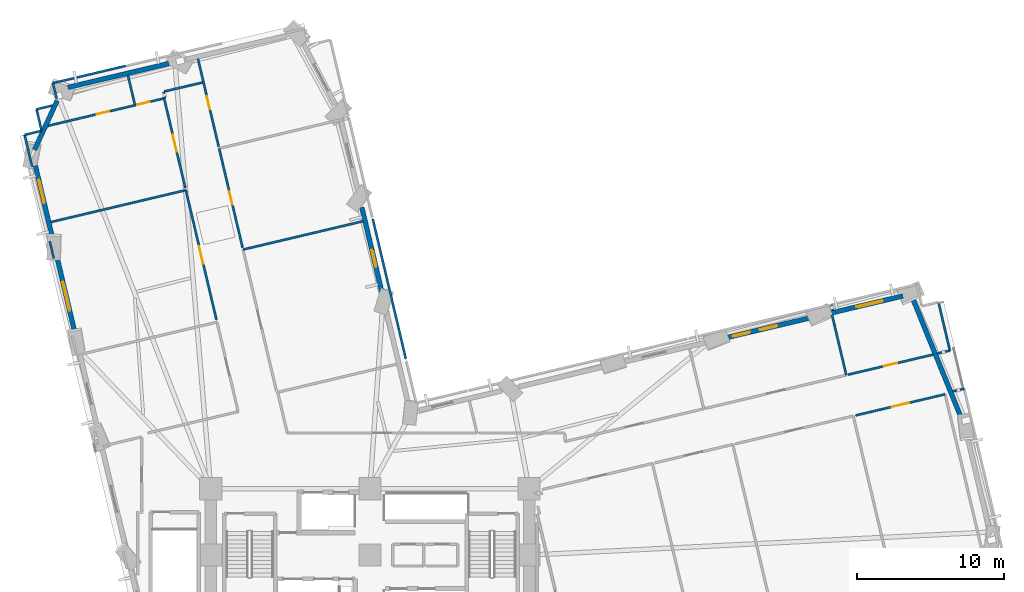
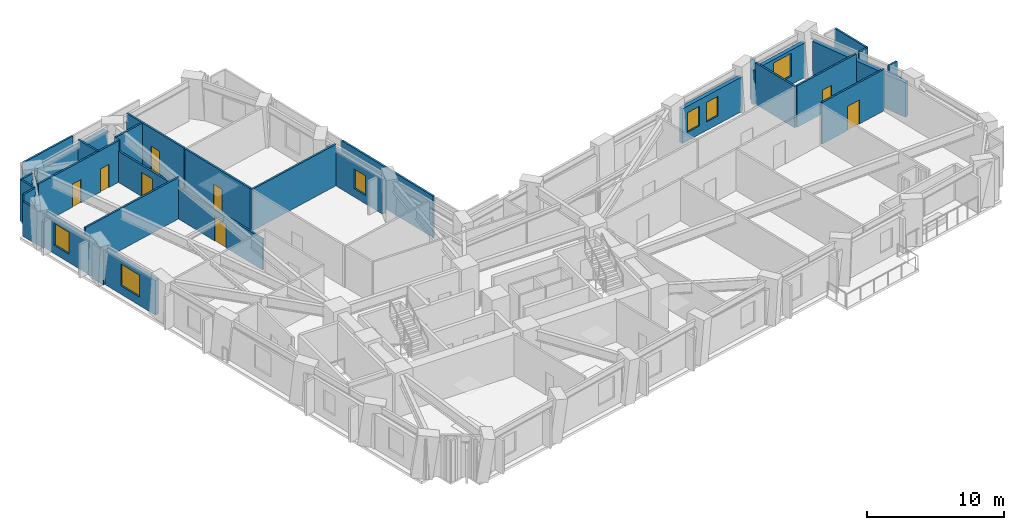
# One storey, part 9 of 14: 33 walls, 8 doors, 6 windows, 14 openings.
"""IFC4 building model written with IfcOpenShell, lengths in metres."""

from ifc_helpers import new_model, si_unit, direction, frame, frame_2d, origin, place, context, subcontext, project, spatial, rectangle, extrude, material, layer, layer_set, type_object, element, fill, save


model = new_model("IFC4")

# Units and contexts
model_context = context("Model", 3, precision=1e-05, world=origin(), true_north=direction((0.0, 1.0)))
body_context = subcontext(model_context, "Body", "Model", "MODEL_VIEW")
ifc_project = project(units=[si_unit("LENGTHUNIT", "METRE"), si_unit("AREAUNIT", "SQUARE_METRE"), si_unit("VOLUMEUNIT", "CUBIC_METRE"), si_unit("PLANEANGLEUNIT", "RADIAN"), si_unit("MASSUNIT", "GRAM", prefix="KILO")], contexts=[model_context])

# Site, building, storey
site_placement = place(None, origin())
site = spatial("IfcSite", under=ifc_project, at=site_placement, CompositionType="ELEMENT")
building_placement = place(site_placement, origin())
building = spatial("IfcBuilding", under=site, at=building_placement, Name="Gaonmaruhae Medical Tower", CompositionType="ELEMENT")
storey_placement = place(building_placement, frame((0.0, 0.0, 79.0)))
storey = spatial("IfcBuildingStorey", under=building, at=storey_placement, Name="L18", CompositionType="ELEMENT", Elevation=79.0)

# Wall
ifc_material_1 = material(Name="Precast concrete C45/55", Category="concrete")
ifc_layer_1 = layer(ifc_material_1, 0.320068359375)
ifc_layer_set_1 = layer_set([ifc_layer_1], Name="Precast concrete C45/55")
wall_type_1 = type_object("IfcWallType", Name="EW-320 Lower Precast Masonry-Frame Facade Wall", PredefinedType="SOLIDWALL", material=ifc_layer_set_1)
wall_1_placement = place(storey_placement, frame((61.641357421875, 29.660400390625, 0.0), z_axis=(0.0, 0.0, 1.0), x_axis=(0.376057718022, -0.926596240396, 0.0)))
element("IfcWall", 1, at=wall_1_placement, inside=storey, type_object=wall_type_1, Name="L18 Precast Masonry-Frame Wall E02-E03", PredefinedType="SOLIDWALL", context=body_context, shape_type="SweptSolid", body=[
    extrude(rectangle(XDim=8.61376953125, YDim=0.320068359375, at=frame_2d((4.306884765625, 0.0))), origin(), (0.0, 0.0, 1.0), 3.0849609375),
])

# Wall, opening, window
wall_2_placement = place(storey_placement, frame((55.894287109375, 28.682861328125, 0.0), z_axis=(0.0, 0.0, 1.0), x_axis=(0.973172593569, 0.230076298489, 0.0)))
wall_2 = element("IfcWall", 2, at=wall_2_placement, inside=storey, type_object=wall_type_1, Name="L18 Precast Masonry-Frame Wall E03-EN01", PredefinedType="SOLIDWALL", context=body_context, shape_type="SweptSolid", body=[
    extrude(rectangle(XDim=5.208984375, YDim=0.320068359375, at=frame_2d((2.6044921875, 0.0))), origin(), (0.0, 0.0, 1.0), 3.0849609375),
])
opening_1_placement = place(wall_2_placement, frame((1.97216796875, 0.0, 0.75)))
opening_1 = element("IfcOpeningElement", 3, at=opening_1_placement, cuts=wall_2, Name="Opening WN-04", PredefinedType="OPENING", context=body_context, shape_type="SweptSolid", body=[
    extrude(rectangle(XDim=1.800048828125, YDim=2.050048828125, at=frame_2d((0.89990234375, 1.02490234375))), frame((0.0, 0.169921875, 0.0), z_axis=(0.0, -1.0, 0.0), x_axis=(1.0, 0.0, 0.0)), (0.0, 0.0, 1.0), 0.340087890625),
])
ifc_material_2 = material(Name="Anodised aluminium and Low-E double glazing", Category="aluminium")
window_type_1 = type_object("IfcWindowType", Name="WN-04 Clinic & Consult Punched Window 1800x2050", PartitioningType="SINGLE_PANEL", PredefinedType="WINDOW", material=ifc_material_2)
window_1_placement = place(opening_1_placement, origin())
window_1 = element("IfcWindow", 4, at=window_1_placement, inside=storey, type_object=window_type_1, Name="L18 Modular Facade Window E03", OverallHeight=2.050048828125, OverallWidth=1.800048828125, PartitioningType="SINGLE_PANEL", PredefinedType="WINDOW", context=body_context, shape_type="SweptSolid", body=[
    extrude(rectangle(XDim=1.800048828125, YDim=2.050048828125, at=frame_2d((0.89990234375, 1.02490234375))), frame((0.0, 0.030029296875, 0.0), z_axis=(0.0, -1.0, 0.0), x_axis=(1.0, 0.0, 0.0)), (0.0, 0.0, 1.0), 0.06005859375),
])
fill(opening_1, window_1)

# Wall, openings, windows
wall_3_placement = place(storey_placement, frame((48.90283203125, 27.0302734375, 0.0), z_axis=(0.0, 0.0, 1.0), x_axis=(0.973184942666, 0.23002405824, 0.0)))
wall_3 = element("IfcWall", 5, at=wall_3_placement, inside=storey, type_object=wall_type_1, Name="L18 Precast Masonry-Frame Wall EN01-EN02", PredefinedType="SOLIDWALL", context=body_context, shape_type="SweptSolid", body=[
    extrude(rectangle(XDim=6.0244140625, YDim=0.320068359375, at=frame_2d((3.01220703125, 0.0))), origin(), (0.0, 0.0, 1.0), 3.0849609375),
])
opening_2_placement = place(wall_3_placement, frame((2.40869140625, 0.0, 0.75)))
opening_2 = element("IfcOpeningElement", 6, at=opening_2_placement, cuts=wall_3, Name="Opening WN-05", PredefinedType="OPENING", context=body_context, shape_type="SweptSolid", body=[
    extrude(rectangle(XDim=1.199951171875, YDim=1.75, at=frame_2d((0.60009765625, 0.875))), frame((0.0, 0.169921875, 0.0), z_axis=(0.0, -1.0, 0.0), x_axis=(1.0, 0.0, 0.0)), (0.0, 0.0, 1.0), 0.340087890625),
])
opening_3_placement = place(wall_3_placement, frame((0.5419921875, 0.0, 0.75)))
opening_3 = element("IfcOpeningElement", 7, at=opening_3_placement, cuts=wall_3, Name="Opening WN-05", PredefinedType="OPENING", context=body_context, shape_type="SweptSolid", body=[
    extrude(rectangle(XDim=1.199951171875, YDim=1.75, at=frame_2d((0.60009765625, 0.875))), frame((0.0, 0.169921875, 0.0), z_axis=(0.0, -1.0, 0.0), x_axis=(1.0, 0.0, 0.0)), (0.0, 0.0, 1.0), 0.340087890625),
])
window_type_2 = type_object("IfcWindowType", Name="WN-05 Support & Staff Punched Window 1200x1750", PartitioningType="SINGLE_PANEL", PredefinedType="WINDOW", material=ifc_material_2)
window_2_placement = place(opening_2_placement, origin())
window_2 = element("IfcWindow", 8, at=window_2_placement, inside=storey, type_object=window_type_2, Name="L18 Modular Facade Window EN01", OverallHeight=1.75, OverallWidth=1.199951171875, PartitioningType="SINGLE_PANEL", PredefinedType="WINDOW", context=body_context, shape_type="SweptSolid", body=[
    extrude(rectangle(XDim=1.199951171875, YDim=1.75, at=frame_2d((0.60009765625, 0.875))), frame((0.0, 0.030029296875, 0.0), z_axis=(0.0, -1.0, 0.0), x_axis=(1.0, 0.0, 0.0)), (0.0, 0.0, 1.0), 0.06005859375),
])
fill(opening_2, window_2)
window_3_placement = place(opening_3_placement, origin())
window_3 = element("IfcWindow", 9, at=window_3_placement, inside=storey, type_object=window_type_2, Name="L18 Modular Facade Window EN01B", OverallHeight=1.75, OverallWidth=1.199951171875, PartitioningType="SINGLE_PANEL", PredefinedType="WINDOW", context=body_context, shape_type="SweptSolid", body=[
    extrude(rectangle(XDim=1.199951171875, YDim=1.75, at=frame_2d((0.60009765625, 0.875))), frame((0.0, 0.030029296875, 0.0), z_axis=(0.0, -1.0, 0.0), x_axis=(1.0, 0.0, 0.0)), (0.0, 0.0, 1.0), 0.06005859375),
])
fill(opening_3, window_3)

# Wall, opening, window
wall_4_placement = place(storey_placement, frame((25.626708984375, 30.0576171875, 0.0), z_axis=(0.0, 0.0, 1.0), x_axis=(-0.230071724751, 0.973173674875, 0.0)))
wall_4 = element("IfcWall", 10, at=wall_4_placement, inside=storey, type_object=wall_type_1, Name="L18 Precast Masonry-Frame Wall NE01-NE02", PredefinedType="SOLIDWALL", context=body_context, shape_type="SweptSolid", body=[
    extrude(rectangle(XDim=5.99658203125, YDim=0.320068359375, at=frame_2d((2.998291015625, 0.0))), origin(), (0.0, 0.0, 1.0), 3.0849609375),
])
opening_4_placement = place(wall_4_placement, frame((1.8251953125, 0.0, 0.75)))
opening_4 = element("IfcOpeningElement", 11, at=opening_4_placement, cuts=wall_4, Name="Opening WN-05", PredefinedType="OPENING", context=body_context, shape_type="SweptSolid", body=[
    extrude(rectangle(XDim=1.199951171875, YDim=1.75, at=frame_2d((0.60009765625, 0.875))), frame((0.0, 0.169921875, 0.0), z_axis=(0.0, -1.0, 0.0), x_axis=(1.0, 0.0, 0.0)), (0.0, 0.0, 1.0), 0.340087890625),
])
window_4_placement = place(opening_4_placement, origin())
window_4 = element("IfcWindow", 12, at=window_4_placement, inside=storey, type_object=window_type_2, Name="L18 Modular Facade Window NE01", OverallHeight=1.75, OverallWidth=1.199951171875, PartitioningType="SINGLE_PANEL", PredefinedType="WINDOW", context=body_context, shape_type="SweptSolid", body=[
    extrude(rectangle(XDim=1.199951171875, YDim=1.75, at=frame_2d((0.60009765625, 0.875))), frame((0.0, 0.030029296875, 0.0), z_axis=(0.0, -1.0, 0.0), x_axis=(1.0, 0.0, 0.0)), (0.0, 0.0, 1.0), 0.06005859375),
])
fill(opening_4, window_4)

# Walls
wall_5_placement = place(storey_placement, frame((4.304443359375, 44.026123046875, 0.0), z_axis=(0.0, 0.0, 1.0), x_axis=(0.973175854212, 0.230062506243, 0.0)))
element("IfcWall", 13, at=wall_5_placement, inside=storey, type_object=wall_type_1, Name="L18 Precast Masonry-Frame Wall N02-N03", PredefinedType="SOLIDWALL", context=body_context, shape_type="SweptSolid", body=[
    extrude(rectangle(XDim=7.03466796875, YDim=0.320068359375, at=frame_2d((3.517333984375, 0.0))), origin(), (0.0, 0.0, 1.0), 3.0849609375),
])
wall_6_placement = place(storey_placement, frame((2.0498046875, 39.795166015625, 0.0), z_axis=(0.0, 0.0, 1.0), x_axis=(0.416695986684, 0.909045903506, 0.0)))
element("IfcWall", 14, at=wall_6_placement, inside=storey, type_object=wall_type_1, Name="L18 Precast Masonry-Frame Wall N03-W01", PredefinedType="SOLIDWALL", context=body_context, shape_type="SweptSolid", body=[
    extrude(rectangle(XDim=3.666015625, YDim=0.320068359375, at=frame_2d((1.8330078125, 0.0))), origin(), (0.0, 0.0, 1.0), 3.0849609375),
])

# Wall, opening, window
wall_7_placement = place(storey_placement, frame((3.30517578125, 33.634033203125, 0.0), z_axis=(0.0, 0.0, 1.0), x_axis=(-0.230065698372, 0.973175099575, 0.0)))
wall_7 = element("IfcWall", 15, at=wall_7_placement, inside=storey, type_object=wall_type_1, Name="L18 Precast Masonry-Frame Wall W01-W02", PredefinedType="SOLIDWALL", context=body_context, shape_type="SweptSolid", body=[
    extrude(rectangle(XDim=5.22314453125, YDim=0.320068359375, at=frame_2d((2.611572265625, 0.0))), origin(), (0.0, 0.0, 1.0), 3.0849609375),
])
opening_5_placement = place(wall_7_placement, frame((2.619873046875, 0.0, 0.75)))
opening_5 = element("IfcOpeningElement", 16, at=opening_5_placement, cuts=wall_7, Name="Opening WN-01", PredefinedType="OPENING", context=body_context, shape_type="SweptSolid", body=[
    extrude(rectangle(XDim=1.60009765625, YDim=1.949951171875, at=frame_2d((0.800048828125, 0.97509765625))), frame((0.0, 0.169921875, 0.0), z_axis=(0.0, -1.0, 0.0), x_axis=(1.0, 0.0, 0.0)), (0.0, 0.0, 1.0), 0.340087890625),
])
window_type_3 = type_object("IfcWindowType", Name="WN-01 Ward Punched Acoustic Window 1600x1950", PartitioningType="SINGLE_PANEL", PredefinedType="WINDOW", material=ifc_material_2)
window_5_placement = place(opening_5_placement, origin())
window_5 = element("IfcWindow", 17, at=window_5_placement, inside=storey, type_object=window_type_3, Name="L18 Modular Facade Window W01", OverallHeight=1.949951171875, OverallWidth=1.60009765625, PartitioningType="SINGLE_PANEL", PredefinedType="WINDOW", context=body_context, shape_type="SweptSolid", body=[
    extrude(rectangle(XDim=1.60009765625, YDim=1.949951171875, at=frame_2d((0.800048828125, 0.97509765625))), frame((0.0, 0.030029296875, 0.0), z_axis=(0.0, -1.0, 0.0), x_axis=(1.0, 0.0, 0.0)), (0.0, 0.0, 1.0), 0.06005859375),
])
fill(opening_5, window_5)

wall_8_placement = place(storey_placement, frame((4.8212890625, 27.22021484375, 0.0), z_axis=(0.0, 0.0, 1.0), x_axis=(-0.230016890779, 0.973186636754, 0.0)))
wall_8 = element("IfcWall", 18, at=wall_8_placement, inside=storey, type_object=wall_type_1, Name="L18 Precast Masonry-Frame Wall W02-W03", PredefinedType="SOLIDWALL", context=body_context, shape_type="SweptSolid", body=[
    extrude(rectangle(XDim=5.400390625, YDim=0.320068359375, at=frame_2d((2.7001953125, 0.0))), origin(), (0.0, 0.0, 1.0), 3.0849609375),
])
opening_6_placement = place(wall_8_placement, frame((1.698486328125, 0.0, 0.75)))
opening_6 = element("IfcOpeningElement", 19, at=opening_6_placement, cuts=wall_8, Name="Opening WN-02", PredefinedType="OPENING", context=body_context, shape_type="SweptSolid", body=[
    extrude(rectangle(XDim=2.0, YDim=1.949951171875, at=frame_2d((1.0, 0.97509765625))), frame((0.0, 0.169921875, 0.0), z_axis=(0.0, -1.0, 0.0), x_axis=(1.0, 0.0, 0.0)), (0.0, 0.0, 1.0), 0.340087890625),
])
window_type_4 = type_object("IfcWindowType", Name="WN-02 Double-Bed Ward Punched Window 2000x1950", PartitioningType="SINGLE_PANEL", PredefinedType="WINDOW", material=ifc_material_2)
window_6_placement = place(opening_6_placement, origin())
window_6 = element("IfcWindow", 20, at=window_6_placement, inside=storey, type_object=window_type_4, Name="L18 Modular Facade Window W02", OverallHeight=1.949951171875, OverallWidth=2.0, PartitioningType="SINGLE_PANEL", PredefinedType="WINDOW", context=body_context, shape_type="SweptSolid", body=[
    extrude(rectangle(XDim=2.0, YDim=1.949951171875, at=frame_2d((1.0, 0.97509765625))), frame((0.0, 0.030029296875, 0.0), z_axis=(0.0, -1.0, 0.0), x_axis=(1.0, 0.0, 0.0)), (0.0, 0.0, 1.0), 0.06005859375),
])
fill(opening_6, window_6)

# Wall, opening, door
ifc_material_3 = material(Name="Gypsum board partition", Category="gypsum")
ifc_layer_2 = layer(ifc_material_3, 0.14990234375)
ifc_layer_set_2 = layer_set([ifc_layer_2], Name="Gypsum board partition")
wall_type_2 = type_object("IfcWallType", Name="PW-150 Rated Clinical Corridor Partition", PredefinedType="PARTITIONING", material=ifc_layer_set_2)
wall_9_placement = place(storey_placement, frame((57.743896484375, 21.77294921875, 0.0), z_axis=(0.0, 0.0, 1.0), x_axis=(0.973163112175, 0.230116399028, 0.0)))
wall_9 = element("IfcWall", 21, at=wall_9_placement, inside=storey, type_object=wall_type_2, Name="L18 Interior Partition L18-SUP08-40", PredefinedType="PARTITIONING", context=body_context, shape_type="SweptSolid", body=[
    extrude(rectangle(XDim=6.240478515625, YDim=0.14990234375, at=frame_2d((3.1201171875, 0.0))), origin(), (0.0, 0.0, 1.0), 3.699951171875),
])
opening_7_placement = place(wall_9_placement, frame((2.520263671875, 0.0, 0.0)))
opening_7 = element("IfcOpeningElement", 22, at=opening_7_placement, cuts=wall_9, Name="Opening CD-02", PredefinedType="OPENING", context=body_context, shape_type="SweptSolid", body=[
    extrude(rectangle(XDim=1.199951171875, YDim=2.14990234375, at=frame_2d((0.60009765625, 1.074951171875))), frame((0.0, 0.0849609375, 0.0), z_axis=(0.0, -1.0, 0.0), x_axis=(1.0, 0.0, 0.0)), (0.0, 0.0, 1.0), 0.169921875),
])
ifc_material_4 = material(Name="Antimicrobial laminate timber fire door", Category="wood")
door_type_1 = type_object("IfcDoorType", Name="CD-02 Clinical Treatment & Procedure Door 1200x2150", OperationType="NOTDEFINED", PredefinedType="DOOR", material=ifc_material_4)
door_1_placement = place(opening_7_placement, origin())
door_1 = element("IfcDoor", 23, at=door_1_placement, inside=storey, type_object=door_type_1, Name="L18 Clinical Biomedical Charting Office Door", OperationType="SINGLE_SWING_RIGHT", OverallHeight=2.14990234375, OverallWidth=1.199951171875, PredefinedType="DOOR", context=body_context, shape_type="SweptSolid", body=[
    extrude(rectangle(XDim=1.199951171875, YDim=2.14990234375, at=frame_2d((0.60009765625, 1.074951171875))), frame((0.0, 0.02490234375, 0.0), z_axis=(0.0, -1.0, 0.0), x_axis=(1.0, 0.0, 0.0)), (0.0, 0.0, 1.0), 0.050048828125),
])
fill(opening_7, door_1)

# Wall
wall_10_placement = place(storey_placement, frame((3.14697265625, 34.889892578125, 0.0), z_axis=(0.0, 0.0, 1.0), x_axis=(0.973179969002, 0.230045099781, 0.0)))
element("IfcWall", 24, at=wall_10_placement, inside=storey, type_object=wall_type_2, Name="L18 Interior Partition L18-WOF11-51", PredefinedType="PARTITIONING", context=body_context, shape_type="SweptSolid", body=[
    extrude(rectangle(XDim=9.41552734375, YDim=0.14990234375, at=frame_2d((4.707763671875, 0.0))), origin(), (0.0, 0.0, 1.0), 3.699951171875),
])

# Wall, opening, door
wall_11_placement = place(storey_placement, frame((12.31005859375, 37.055908203125, 0.0), z_axis=(0.0, 0.0, 1.0), x_axis=(0.229958952192, -0.97320032897, 0.0)))
wall_11 = element("IfcWall", 25, at=wall_11_placement, inside=storey, type_object=wall_type_2, Name="L18 Interior Partition L18-WOF11-52", PredefinedType="PARTITIONING", context=body_context, shape_type="SweptSolid", body=[
    extrude(rectangle(XDim=9.0400390625, YDim=0.14990234375, at=frame_2d((4.52001953125, 0.0))), origin(), (0.0, 0.0, 1.0), 2.784912109375),
])
opening_8_placement = place(wall_11_placement, frame((3.920166015625, 0.0, 0.0)))
opening_8 = element("IfcOpeningElement", 26, at=opening_8_placement, cuts=wall_11, Name="Opening CD-02", PredefinedType="OPENING", context=body_context, shape_type="SweptSolid", body=[
    extrude(rectangle(XDim=1.199951171875, YDim=2.14990234375, at=frame_2d((0.60009765625, 1.074951171875))), frame((0.0, 0.0849609375, 0.0), z_axis=(0.0, -1.0, 0.0), x_axis=(1.0, 0.0, 0.0)), (0.0, 0.0, 1.0), 0.169921875),
])
door_2_placement = place(opening_8_placement, origin())
door_2 = element("IfcDoor", 27, at=door_2_placement, inside=storey, type_object=door_type_1, Name="L18 Ward Physician Reporting Office Door", OperationType="SINGLE_SWING_LEFT", OverallHeight=2.14990234375, OverallWidth=1.199951171875, PredefinedType="DOOR", context=body_context, shape_type="SweptSolid", body=[
    extrude(rectangle(XDim=1.199951171875, YDim=2.14990234375, at=frame_2d((0.60009765625, 1.074951171875))), frame((0.0, 0.02490234375, 0.0), z_axis=(0.0, -1.0, 0.0), x_axis=(1.0, 0.0, 0.0)), (0.0, 0.0, 1.0), 0.050048828125),
])
fill(opening_8, door_2)

# Wall
wall_12_placement = place(storey_placement, frame((3.35498046875, 32.423095703125, 0.0), z_axis=(0.0, 0.0, 1.0), x_axis=(-0.230205635988, 0.973142006677, 0.0)))
element("IfcWall", 28, at=wall_12_placement, inside=storey, type_object=wall_type_2, Name="L18 Interior Partition L18-WOF11-54", PredefinedType="PARTITIONING", context=body_context, shape_type="SweptSolid", body=[
    extrude(rectangle(XDim=1.18994140625, YDim=0.14990234375, at=frame_2d((0.594970703125, 0.0))), origin(), (0.0, 0.0, 1.0), 3.0849609375),
])

# Wall, openings, doors
wall_13_placement = place(storey_placement, frame((2.94189453125, 41.41796875, 0.0), z_axis=(0.0, 0.0, 1.0), x_axis=(0.973188164801, 0.230010425616, 0.0)))
wall_13 = element("IfcWall", 29, at=wall_13_placement, inside=storey, type_object=wall_type_2, Name="L18 Interior Partition L18-WOF12-55", PredefinedType="PARTITIONING", context=body_context, shape_type="SweptSolid", body=[
    extrude(rectangle(XDim=8.112548828125, YDim=0.14990234375, at=frame_2d((4.05615234375, 0.0))), origin(), (0.0, 0.0, 1.0), 3.699951171875),
])
opening_9_placement = place(wall_13_placement, frame((3.425537109375, 0.0, 0.0)))
opening_9 = element("IfcOpeningElement", 30, at=opening_9_placement, cuts=wall_13, Name="Opening AD-01", PredefinedType="OPENING", context=body_context, shape_type="SweptSolid", body=[
    extrude(rectangle(XDim=0.860107421875, YDim=2.06005859375, at=frame_2d((0.43017578125, 1.030029296875))), frame((0.0, 0.0849609375, 0.0), z_axis=(0.0, -1.0, 0.0), x_axis=(1.0, 0.0, 0.0)), (0.0, 0.0, 1.0), 0.169921875),
])
opening_10_placement = place(wall_13_placement, frame((6.236328125, 0.0, 0.0)))
opening_10 = element("IfcOpeningElement", 31, at=opening_10_placement, cuts=wall_13, Name="Opening AD-01", PredefinedType="OPENING", context=body_context, shape_type="SweptSolid", body=[
    extrude(rectangle(XDim=0.860107421875, YDim=2.06005859375, at=frame_2d((0.43017578125, 1.030029296875))), frame((0.0, 0.0849609375, 0.0), z_axis=(0.0, -1.0, 0.0), x_axis=(1.0, 0.0, 0.0)), (0.0, 0.0, 1.0), 0.169921875),
])
ifc_material_5 = material(Name="Powder-coated steel access door", Category="steel")
door_type_2 = type_object("IfcDoorType", Name="AD-01 Riser & Closet Access Fire Door 860x2060", OperationType="NOTDEFINED", PredefinedType="DOOR", material=ifc_material_5)
door_3_placement = place(opening_9_placement, origin())
door_3 = element("IfcDoor", 32, at=door_3_placement, inside=storey, type_object=door_type_2, Name="L18 Clinical Case Review Office Sliding Door", OperationType="SLIDING_TO_LEFT", OverallHeight=2.06005859375, OverallWidth=0.860107421875, PredefinedType="DOOR", context=body_context, shape_type="SweptSolid", body=[
    extrude(rectangle(XDim=0.860107421875, YDim=2.06005859375, at=frame_2d((0.43017578125, 1.030029296875))), frame((0.0, 0.02490234375, 0.0), z_axis=(0.0, -1.0, 0.0), x_axis=(1.0, 0.0, 0.0)), (0.0, 0.0, 1.0), 0.050048828125),
])
fill(opening_9, door_3)
door_4_placement = place(opening_10_placement, origin())
door_4 = element("IfcDoor", 33, at=door_4_placement, inside=storey, type_object=door_type_2, Name="L18 Care Team Clinical Charting Office Sliding Door", OperationType="SLIDING_TO_LEFT", OverallHeight=2.06005859375, OverallWidth=0.860107421875, PredefinedType="DOOR", context=body_context, shape_type="SweptSolid", body=[
    extrude(rectangle(XDim=0.860107421875, YDim=2.06005859375, at=frame_2d((0.43017578125, 1.030029296875))), frame((0.0, 0.02490234375, 0.0), z_axis=(0.0, -1.0, 0.0), x_axis=(1.0, 0.0, 0.0)), (0.0, 0.0, 1.0), 0.050048828125),
])
fill(opening_10, door_4)

# Wall, opening, door
wall_14_placement = place(storey_placement, frame((10.8369140625, 43.283935546875, 0.0), z_axis=(0.0, 0.0, 1.0), x_axis=(0.230151448384, -0.973154823657, 0.0)))
wall_14 = element("IfcWall", 34, at=wall_14_placement, inside=storey, type_object=wall_type_2, Name="L18 Interior Partition L18-WOF12-56", PredefinedType="PARTITIONING", context=body_context, shape_type="SweptSolid", body=[
    extrude(rectangle(XDim=6.239501953125, YDim=0.14990234375, at=frame_2d((3.11962890625, 0.0))), origin(), (0.0, 0.0, 1.0), 2.784912109375),
])
opening_11_placement = place(wall_14_placement, frame((2.519775390625, 0.0, 0.0)))
opening_11 = element("IfcOpeningElement", 35, at=opening_11_placement, cuts=wall_14, Name="Opening CD-02", PredefinedType="OPENING", context=body_context, shape_type="SweptSolid", body=[
    extrude(rectangle(XDim=1.199951171875, YDim=2.14990234375, at=frame_2d((0.60009765625, 1.074951171875))), frame((0.0, 0.0849609375, 0.0), z_axis=(0.0, -1.0, 0.0), x_axis=(1.0, 0.0, 0.0)), (0.0, 0.0, 1.0), 0.169921875),
])
door_5_placement = place(opening_11_placement, origin())
door_5 = element("IfcDoor", 36, at=door_5_placement, inside=storey, type_object=door_type_1, Name="L18 Ward Physician Reporting Office Door", OperationType="SINGLE_SWING_LEFT", OverallHeight=2.14990234375, OverallWidth=1.199951171875, PredefinedType="DOOR", context=body_context, shape_type="SweptSolid", body=[
    extrude(rectangle(XDim=1.199951171875, YDim=2.14990234375, at=frame_2d((0.60009765625, 1.074951171875))), frame((0.0, 0.02490234375, 0.0), z_axis=(0.0, -1.0, 0.0), x_axis=(1.0, 0.0, 0.0)), (0.0, 0.0, 1.0), 0.050048828125),
])
fill(opening_11, door_5)

# Walls
wall_15_placement = place(storey_placement, frame((1.8798828125, 38.6640625, 0.0), z_axis=(0.0, 0.0, 1.0), x_axis=(-0.230196637673, 0.973144135267, 0.0)))
element("IfcWall", 37, at=wall_15_placement, inside=storey, type_object=wall_type_2, Name="L18 Interior Partition L18-WOF12-57", PredefinedType="PARTITIONING", context=body_context, shape_type="SweptSolid", body=[
    extrude(rectangle(XDim=2.210205078125, YDim=0.14990234375, at=frame_2d((1.10498046875, 0.0))), origin(), (0.0, 0.0, 1.0), 3.0849609375),
])
wall_16_placement = place(storey_placement, frame((1.37109375, 40.81494140625, 0.0), z_axis=(0.0, 0.0, 1.0), x_axis=(0.973053967622, 0.230577483927, 0.0)))
element("IfcWall", 38, at=wall_16_placement, inside=storey, type_object=wall_type_2, Name="L18 Interior Partition L18-WOF12-58", PredefinedType="PARTITIONING", context=body_context, shape_type="SweptSolid", body=[
    extrude(rectangle(XDim=1.14990234375, YDim=0.14990234375, at=frame_2d((0.574951171875, 0.0))), origin(), (0.0, 0.0, 1.0), 3.699951171875),
])
wall_17_placement = place(storey_placement, frame((56.14599609375, 28.60400390625, 0.0), z_axis=(0.0, 0.0, 1.0), x_axis=(0.229935488388, -0.973205872968, 0.0)))
element("IfcWall", 39, at=wall_17_placement, inside=storey, type_object=wall_type_2, Name="L18 Interior Partition L18-IE03-72", PredefinedType="PARTITIONING", context=body_context, shape_type="SweptSolid", body=[
    extrude(rectangle(XDim=4.205810546875, YDim=0.14990234375, at=frame_2d((2.10302734375, 0.0))), origin(), (0.0, 0.0, 1.0), 3.699951171875),
])
wall_18_placement = place(storey_placement, frame((63.363037109375, 29.471923828125, 0.0), z_axis=(0.0, 0.0, 1.0), x_axis=(0.230111027356, -0.973164382357, 0.0)))
element("IfcWall", 40, at=wall_18_placement, inside=storey, type_object=wall_type_2, Name="L18 Interior Partition L18-IE04-74", PredefinedType="PARTITIONING", context=body_context, shape_type="SweptSolid", body=[
    extrude(rectangle(XDim=3.389892578125, YDim=0.14990234375, at=frame_2d((1.69482421875, 0.0))), origin(), (0.0, 0.0, 1.0), 3.699951171875),
])
wall_19_placement = place(storey_placement, frame((64.14306640625, 26.173095703125, 0.0), z_axis=(0.0, 0.0, 1.0), x_axis=(-0.973111321647, -0.230335311411, 0.0)))
element("IfcWall", 41, at=wall_19_placement, inside=storey, type_object=wall_type_2, Name="L18 Interior Partition L18-IE04-75", PredefinedType="PARTITIONING", context=body_context, shape_type="SweptSolid", body=[
    extrude(rectangle(XDim=0.8818359375, YDim=0.14990234375, at=frame_2d((0.44091796875, 0.0))), origin(), (0.0, 0.0, 1.0), 3.699951171875),
])

# Wall, opening, door
wall_20_placement = place(storey_placement, frame((63.01904296875, 25.906982421875, 0.0), z_axis=(0.0, 0.0, 1.0), x_axis=(-0.973199812054, -0.2299611398, 0.0)))
wall_20 = element("IfcWall", 42, at=wall_20_placement, inside=storey, type_object=wall_type_2, Name="L18 Interior Partition L18-IE04-76", PredefinedType="PARTITIONING", context=body_context, shape_type="SweptSolid", body=[
    extrude(rectangle(XDim=5.948486328125, YDim=0.14990234375, at=frame_2d((2.97412109375, 0.0))), origin(), (0.0, 0.0, 1.0), 3.699951171875),
])
opening_12_placement = place(wall_20_placement, frame((2.51416015625, 0.0, 0.0)))
opening_12 = element("IfcOpeningElement", 43, at=opening_12_placement, cuts=wall_20, Name="Opening UD-01", PredefinedType="OPENING", context=body_context, shape_type="SweptSolid", body=[
    extrude(rectangle(XDim=0.919921875, YDim=2.10009765625, at=frame_2d((0.4599609375, 1.050048828125))), frame((0.0, 0.0849609375, 0.0), z_axis=(0.0, -1.0, 0.0), x_axis=(1.0, 0.0, 0.0)), (0.0, 0.0, 1.0), 0.169921875),
])
ifc_material_6 = material(Name="Powder-coated steel utility door", Category="steel")
door_type_3 = type_object("IfcDoorType", Name="UD-01 Toilet, Utility & Housekeeping Door 920x2100", OperationType="NOTDEFINED", PredefinedType="DOOR", material=ifc_material_6)
door_6_placement = place(opening_12_placement, origin())
door_6 = element("IfcDoor", 44, at=door_6_placement, inside=storey, type_object=door_type_3, Name="L18 Accessible Public Toilet Door", OperationType="SINGLE_SWING_LEFT", OverallHeight=2.10009765625, OverallWidth=0.919921875, PredefinedType="DOOR", context=body_context, shape_type="SweptSolid", body=[
    extrude(rectangle(XDim=0.919921875, YDim=2.10009765625, at=frame_2d((0.4599609375, 1.050048828125))), frame((0.0, 0.02490234375, 0.0), z_axis=(0.0, -1.0, 0.0), x_axis=(1.0, 0.0, 0.0)), (0.0, 0.0, 1.0), 0.050048828125),
])
fill(opening_12, door_6)

# Walls
wall_21_placement = place(storey_placement, frame((56.199951171875, 28.89404296875, 0.0), z_axis=(0.0, 0.0, 1.0), x_axis=(-0.228809832901, 0.973471139977, 0.0)))
element("IfcWall", 45, at=wall_21_placement, inside=storey, type_object=wall_type_2, Name="L18 Interior Partition L18-IE04-77", PredefinedType="PARTITIONING", context=body_context, shape_type="SweptSolid", body=[
    extrude(rectangle(XDim=0.4150390625, YDim=0.14990234375, at=frame_2d((0.20751953125, 0.0))), origin(), (0.0, 0.0, 1.0), 3.699951171875),
])
wall_22_placement = place(storey_placement, frame((16.19091796875, 33.02587890625, 0.0), z_axis=(0.0, 0.0, 1.0), x_axis=(0.973183543578, 0.230029977414, 0.0)))
element("IfcWall", 46, at=wall_22_placement, inside=storey, type_object=wall_type_2, Name="L18 Interior Partition L18-IN01-81", PredefinedType="PARTITIONING", context=body_context, shape_type="SweptSolid", body=[
    extrude(rectangle(XDim=8.364501953125, YDim=0.14990234375, at=frame_2d((4.18212890625, 0.0))), origin(), (0.0, 0.0, 1.0), 3.699951171875),
])
wall_23_placement = place(storey_placement, frame((24.998046875, 35.10791015625, 0.0), z_axis=(0.0, 0.0, 1.0), x_axis=(0.230031490205, -0.973183186001, 0.0)))
element("IfcWall", 47, at=wall_23_placement, inside=storey, type_object=wall_type_2, Name="L18 Interior Partition L18-IN01-82", PredefinedType="PARTITIONING", context=body_context, shape_type="SweptSolid", body=[
    extrude(rectangle(XDim=9.75048828125, YDim=0.14990234375, at=frame_2d((4.875244140625, 0.0))), origin(), (0.0, 0.0, 1.0), 3.699951171875),
])

# Wall, opening, door
wall_24_placement = place(storey_placement, frame((16.1630859375, 33.14208984375, 0.0), z_axis=(0.0, 0.0, 1.0), x_axis=(-0.229991484935, 0.973192641185, 0.0)))
wall_24 = element("IfcWall", 48, at=wall_24_placement, inside=storey, type_object=wall_type_2, Name="L18 Interior Partition L18-IN02-83", PredefinedType="PARTITIONING", context=body_context, shape_type="SweptSolid", body=[
    extrude(rectangle(XDim=6.9306640625, YDim=0.14990234375, at=frame_2d((3.46533203125, 0.0))), origin(), (0.0, 0.0, 1.0), 3.699951171875),
])
opening_13_placement = place(wall_24_placement, frame((3.00537109375, 0.0, 0.0)))
opening_13 = element("IfcOpeningElement", 49, at=opening_13_placement, cuts=wall_24, Name="Opening UD-01", PredefinedType="OPENING", context=body_context, shape_type="SweptSolid", body=[
    extrude(rectangle(XDim=0.919921875, YDim=2.10009765625, at=frame_2d((0.4599609375, 1.050048828125))), frame((0.0, 0.0849609375, 0.0), z_axis=(0.0, -1.0, 0.0), x_axis=(1.0, 0.0, 0.0)), (0.0, 0.0, 1.0), 0.169921875),
])
door_7_placement = place(opening_13_placement, origin())
door_7 = element("IfcDoor", 50, at=door_7_placement, inside=storey, type_object=door_type_3, Name="L18 Ward Nutrition Pantry Door", OperationType="SINGLE_SWING_RIGHT", OverallHeight=2.10009765625, OverallWidth=0.919921875, PredefinedType="DOOR", context=body_context, shape_type="SweptSolid", body=[
    extrude(rectangle(XDim=0.919921875, YDim=2.10009765625, at=frame_2d((0.4599609375, 1.050048828125))), frame((0.0, 0.02490234375, 0.0), z_axis=(0.0, -1.0, 0.0), x_axis=(1.0, 0.0, 0.0)), (0.0, 0.0, 1.0), 0.050048828125),
])
fill(opening_13, door_7)

wall_25_placement = place(storey_placement, frame((14.541015625, 40.0029296875, 0.0), z_axis=(0.0, 0.0, 1.0), x_axis=(-0.229988453932, 0.973193357488, 0.0)))
wall_25 = element("IfcWall", 51, at=wall_25_placement, inside=storey, type_object=wall_type_2, Name="L18 Interior Partition L18-IN03-88", PredefinedType="PARTITIONING", context=body_context, shape_type="SweptSolid", body=[
    extrude(rectangle(XDim=6.1357421875, YDim=0.14990234375, at=frame_2d((3.06787109375, 0.0))), origin(), (0.0, 0.0, 1.0), 3.699951171875),
])
opening_14_placement = place(wall_25_placement, frame((2.607666015625, 0.0, 0.0)))
opening_14 = element("IfcOpeningElement", 52, at=opening_14_placement, cuts=wall_25, Name="Opening UD-01", PredefinedType="OPENING", context=body_context, shape_type="SweptSolid", body=[
    extrude(rectangle(XDim=0.919921875, YDim=2.10009765625, at=frame_2d((0.4599609375, 1.050048828125))), frame((0.0, 0.0849609375, 0.0), z_axis=(0.0, -1.0, 0.0), x_axis=(1.0, 0.0, 0.0)), (0.0, 0.0, 1.0), 0.169921875),
])
door_8_placement = place(opening_14_placement, origin())
door_8 = element("IfcDoor", 53, at=door_8_placement, inside=storey, type_object=door_type_3, Name="L18 Public Visitor Toilet Door", OperationType="SINGLE_SWING_RIGHT", OverallHeight=2.10009765625, OverallWidth=0.919921875, PredefinedType="DOOR", context=body_context, shape_type="SweptSolid", body=[
    extrude(rectangle(XDim=0.919921875, YDim=2.10009765625, at=frame_2d((0.4599609375, 1.050048828125))), frame((0.0, 0.02490234375, 0.0), z_axis=(0.0, -1.0, 0.0), x_axis=(1.0, 0.0, 0.0)), (0.0, 0.0, 1.0), 0.050048828125),
])
fill(opening_14, door_8)

# Walls
wall_26_placement = place(storey_placement, frame((2.175048828125, 42.547119140625, 0.0), z_axis=(0.0, 0.0, 1.0), x_axis=(0.9731662802, 0.230103001026, 0.0)))
element("IfcWall", 54, at=wall_26_placement, inside=storey, type_object=wall_type_2, Name="L18 Interior Partition L18-RM01-92", PredefinedType="PARTITIONING", context=body_context, shape_type="SweptSolid", body=[
    extrude(rectangle(XDim=1.138427734375, YDim=0.14990234375, at=frame_2d((0.5693359375, 0.0))), origin(), (0.0, 0.0, 1.0), 3.699951171875),
])
wall_27_placement = place(storey_placement, frame((3.547119140625, 43.259033203125, 0.0), z_axis=(0.0, 0.0, 1.0), x_axis=(-0.229998511491, 0.973190980595, 0.0)))
element("IfcWall", 55, at=wall_27_placement, inside=storey, type_object=wall_type_2, Name="L18 Interior Partition L18-RM01-93", PredefinedType="PARTITIONING", context=body_context, shape_type="SweptSolid", body=[
    extrude(rectangle(XDim=1.09228515625, YDim=0.14990234375, at=frame_2d((0.546142578125, 0.0))), origin(), (0.0, 0.0, 1.0), 2.784912109375),
])
wall_28_placement = place(storey_placement, frame((3.2958984375, 44.322021484375, 0.0), z_axis=(0.0, 0.0, 1.0), x_axis=(0.973151285145, 0.230166409846, 0.0)))
element("IfcWall", 56, at=wall_28_placement, inside=storey, type_object=wall_type_2, Name="L18 Interior Partition L18-RM01-94", PredefinedType="PARTITIONING", context=body_context, shape_type="SweptSolid", body=[
    extrude(rectangle(XDim=5.0703125, YDim=0.14990234375, at=frame_2d((2.53515625, 0.0))), origin(), (0.0, 0.0, 1.0), 3.699951171875),
])
wall_29_placement = place(storey_placement, frame((8.381103515625, 44.85107421875, 0.0), z_axis=(0.0, 0.0, 1.0), x_axis=(0.22991372917, -0.973211013675, 0.0)))
element("IfcWall", 57, at=wall_29_placement, inside=storey, type_object=wall_type_2, Name="L18 Interior Partition L18-RM01-95", PredefinedType="PARTITIONING", context=body_context, shape_type="SweptSolid", body=[
    extrude(rectangle(XDim=2.069580078125, YDim=0.14990234375, at=frame_2d((1.03466796875, 0.0))), origin(), (0.0, 0.0, 1.0), 3.699951171875),
])
wall_30_placement = place(storey_placement, frame((2.513916015625, 41.10791015625, 0.0), z_axis=(0.0, 0.0, 1.0), x_axis=(-0.229186585679, 0.973382509061, 0.0)))
element("IfcWall", 58, at=wall_30_placement, inside=storey, type_object=wall_type_2, Name="L18 Interior Partition L18-RM01-96", PredefinedType="PARTITIONING", context=body_context, shape_type="SweptSolid", body=[
    extrude(rectangle(XDim=1.478515625, YDim=0.14990234375, at=frame_2d((0.7392578125, 0.0))), origin(), (0.0, 0.0, 1.0), 3.699951171875),
])
wall_31_placement = place(storey_placement, frame((13.430908203125, 44.35595703125, 0.0), z_axis=(0.0, 0.0, 1.0), x_axis=(-0.973916009073, -0.226908808272, 0.0)))
element("IfcWall", 59, at=wall_31_placement, inside=storey, type_object=wall_type_2, Name="L18 Interior Partition L18-RM02-97", PredefinedType="PARTITIONING", context=body_context, shape_type="SweptSolid", body=[
    extrude(rectangle(XDim=2.67041015625, YDim=0.14990234375, at=frame_2d((1.335205078125, 0.0))), origin(), (0.0, 0.0, 1.0), 3.699951171875),
])
wall_32_placement = place(storey_placement, frame((10.806884765625, 43.717041015625, 0.0), z_axis=(0.0, 0.0, 1.0), x_axis=(0.23126114462, -0.972891711851, 0.0)))
element("IfcWall", 60, at=wall_32_placement, inside=storey, type_object=wall_type_2, Name="L18 Interior Partition L18-RM02-98", PredefinedType="PARTITIONING", context=body_context, shape_type="SweptSolid", body=[
    extrude(rectangle(XDim=0.4287109375, YDim=0.14990234375, at=frame_2d((0.21435546875, 0.0))), origin(), (0.0, 0.0, 1.0), 3.699951171875),
])
wall_33_placement = place(storey_placement, frame((64.326904296875, 23.402099609375, 0.0), z_axis=(0.0, 0.0, 1.0), x_axis=(0.97329975507, 0.229537767658, 0.0)))
element("IfcWall", 61, at=wall_33_placement, inside=storey, type_object=wall_type_2, Name="L18 Interior Partition L18-RM03-100", PredefinedType="PARTITIONING", context=body_context, shape_type="SweptSolid", body=[
    extrude(rectangle(XDim=0.819091796875, YDim=0.14990234375, at=frame_2d((0.40966796875, 0.0))), origin(), (0.0, 0.0, 1.0), 3.699951171875),
])

save(model, "model.ifc")
